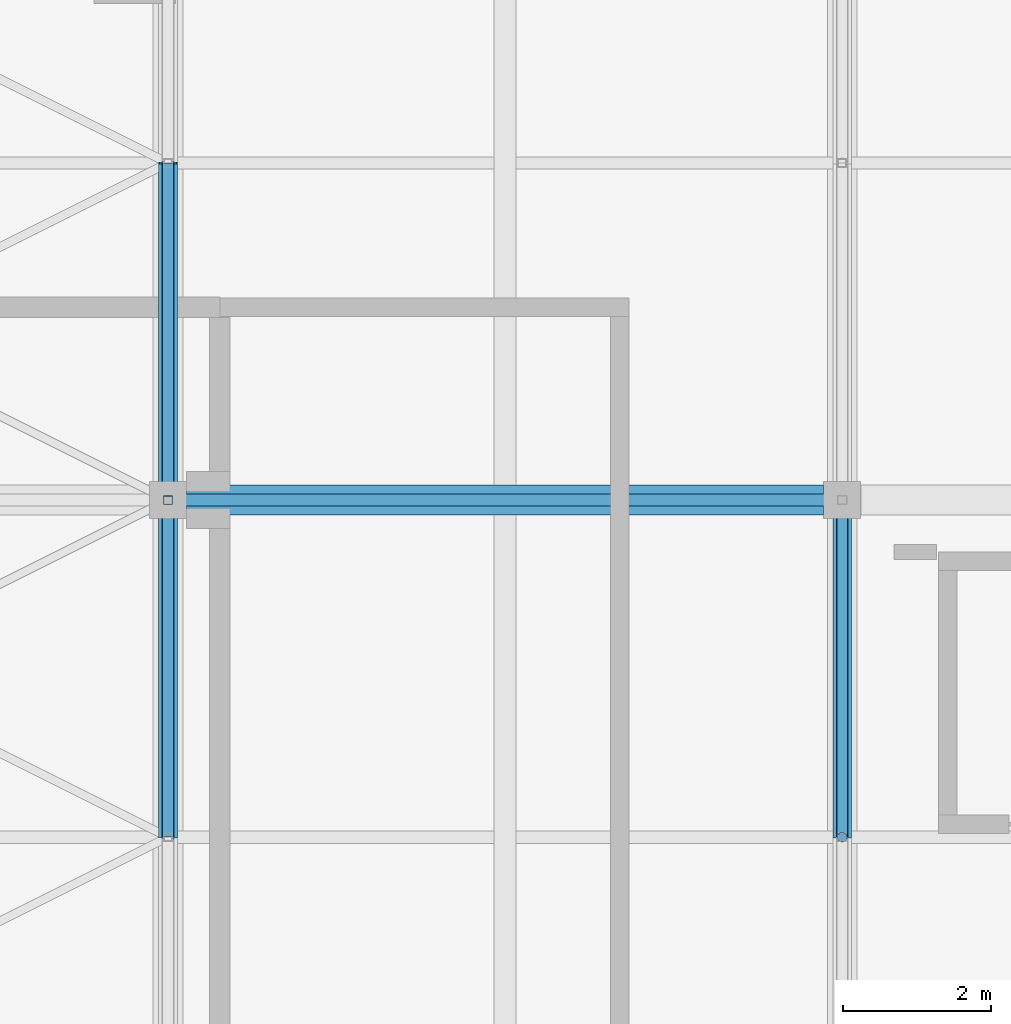
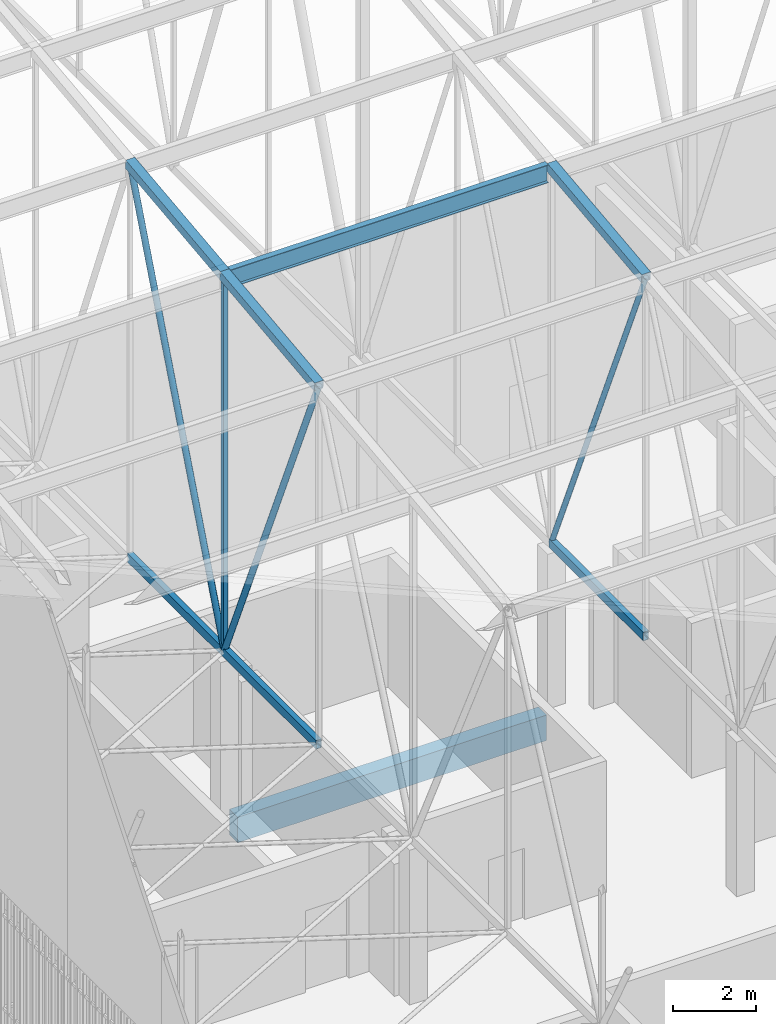
# One storey, part 53 of 500: 11 members, 1 beam.
"""IFC4 building model written with IfcOpenShell, lengths in metres."""

from ifc_helpers import new_model, si_unit, direction, frame, origin, origin_2d, place, context, subcontext, project, spatial, rectangle, hollow_rectangle, hollow_circle, i_section, extrude, material, material_profile, profile_set, type_object, element, save


model = new_model("IFC4")

# Units and contexts
model_context = context("Model", 3, precision=1e-05, world=origin(), true_north=direction((0.0, 1.0)))
body_context = subcontext(model_context, "Body", "Model", "MODEL_VIEW")
ifc_project = project(units=[si_unit("LENGTHUNIT", "METRE"), si_unit("AREAUNIT", "SQUARE_METRE"), si_unit("VOLUMEUNIT", "CUBIC_METRE"), si_unit("PLANEANGLEUNIT", "RADIAN"), si_unit("MASSUNIT", "GRAM", prefix="KILO")], contexts=[model_context])

# Site, building, storey
site_placement = place(None, origin())
site = spatial("IfcSite", under=ifc_project, at=site_placement, CompositionType="ELEMENT")
building_placement = place(site_placement, origin())
building = spatial("IfcBuilding", under=site, at=building_placement, Name="Shirokan Park Arena", CompositionType="ELEMENT")
storey_placement = place(building_placement, frame((0.0, 0.0, 29.1201171875)))
storey = spatial("IfcBuildingStorey", under=building, at=storey_placement, Name="L06", CompositionType="ELEMENT", Elevation=29.1201171875)

# Members
ifc_material_1 = material(Name="Steel ASTM A500 Grade C", Category="steel")
ifc_material_profile_1 = material_profile(ifc_material_1, hollow_rectangle(XDim=0.152099609375, YDim=0.25390625, WallThickness=0.009521484375, at=origin_2d()), Name="HSS254X152.4X9.5")
ifc_profile_set_1 = profile_set([ifc_material_profile_1], Name="Steel ASTM A500 Grade C")
member_type_1 = type_object("IfcMemberType", Name="Bottom chord HSS254X152.4X9.5", PredefinedType="CHORD", material=ifc_profile_set_1)
for number, where, z_axis, x_axis, name in (
    (1, (9.10009765625, 22.75, 4.677001953125), (0.0, 1.0, 0.0), (-1.0, 0.0, 0.0), "Truss T02 bottom chord 8"),
    (2, (9.10009765625, 27.300048828125, 4.677001953125), (0.0, 1.0, 0.0), (-1.0, 0.0, 0.0), "Truss T02 bottom chord 9"),
    (3, (18.199951171875, 22.75, 4.677001953125), (0.0, 1.0, 0.0), (-1.0, 0.0, 0.0), "Truss T03 bottom chord 8"),
):
    element("IfcMember", number, at=place(storey_placement, frame(where, z_axis=z_axis, x_axis=x_axis)), inside=storey, type_object=member_type_1, Name=name, PredefinedType="CHORD", context=body_context, shape_type="SweptSolid", body=[
        extrude(hollow_rectangle(XDim=0.152099609375, YDim=0.25390625, WallThickness=0.009521484375, at=origin_2d()), origin(), (0.0, 0.0, 1.0), 4.550048828125),
    ])
ifc_material_2 = material(Name="Steel ASTM A992", Category="steel")
ifc_material_profile_2 = material_profile(ifc_material_2, i_section(OverallWidth=0.166015625, OverallDepth=0.528076171875, WebThickness=0.009765625, FlangeThickness=0.013671875, at=origin_2d()), Name="W530X74")
ifc_profile_set_2 = profile_set([ifc_material_profile_2], Name="Steel ASTM A992")
member_type_2 = type_object("IfcMemberType", Name="Purlin W530X74", PredefinedType="PURLIN", material=ifc_profile_set_2)
member_1_placement = place(storey_placement, frame((9.22705078125, 27.300048828125, 15.60595703125), z_axis=(1.0, 0.0, 0.0), x_axis=(0.0, 1.0, 0.0)))
element("IfcMember", 4, at=member_1_placement, inside=storey, type_object=member_type_2, Name="Purlin 9 bay 2", PredefinedType="PURLIN", context=body_context, shape_type="SweptSolid", body=[
    extrude(i_section(OverallWidth=0.166015625, OverallDepth=0.528076171875, WebThickness=0.009765625, FlangeThickness=0.013671875, at=origin_2d()), origin(), (0.0, 0.0, 1.0), 8.845947265625),
])

# Beam
ifc_material_3 = material(Name="Concrete C35", Category="concrete")
ifc_material_profile_3 = material_profile(ifc_material_3, rectangle(XDim=0.39990234375, YDim=0.75, at=origin_2d()), Name="400x750")
ifc_profile_set_3 = profile_set([ifc_material_profile_3], Name="Concrete C35")
beam_type = type_object("IfcBeamType", Name="RC girder 400x750", PredefinedType="BEAM", material=ifc_profile_set_3)
beam_placement = place(storey_placement, frame((9.35009765625, 27.300048828125, -0.5751953125), z_axis=(1.0, 0.0, 0.0), x_axis=(0.0, 1.0, 0.0)))
element("IfcBeam", 5, at=beam_placement, inside=storey, type_object=beam_type, Name="Girder 2D-3D L06", PredefinedType="BEAM", context=body_context, shape_type="SweptSolid", body=[
    extrude(rectangle(XDim=0.39990234375, YDim=0.75, at=origin_2d()), origin(), (0.0, 0.0, 1.0), 8.599853515625),
])

# Members
ifc_material_profile_4 = material_profile(ifc_material_1, hollow_rectangle(XDim=0.25390625, YDim=0.25390625, WallThickness=0.009521484375, at=origin_2d()), Name="HSS254X254X9.5")
ifc_profile_set_4 = profile_set([ifc_material_profile_4], Name="Steel ASTM A500 Grade C")
member_type_3 = type_object("IfcMemberType", Name="Top chord HSS254X254X9.5", PredefinedType="CHORD", material=ifc_profile_set_4)
for number, where, z_axis, x_axis, name in (
    (6, (9.10009765625, 22.75, 15.222900390625), (0.0, 0.993532328996, 0.113549598152), (-1.0, 0.0, 0.0), "Truss T02 top chord 8"),
    (7, (9.10009765625, 27.300048828125, 15.742919921875), (0.0, 0.993532328996, 0.113549598152), (-1.0, 0.0, 0.0), "Truss T02 top chord 9"),
    (8, (18.199951171875, 22.75, 15.222900390625), (0.0, 0.993532328996, 0.113549598152), (-1.0, 0.0, 0.0), "Truss T03 top chord 8"),
):
    element("IfcMember", number, at=place(storey_placement, frame(where, z_axis=z_axis, x_axis=x_axis)), inside=storey, type_object=member_type_3, Name=name, PredefinedType="CHORD", context=body_context, shape_type="SweptSolid", body=[
        extrude(hollow_rectangle(XDim=0.25390625, YDim=0.25390625, WallThickness=0.009521484375, at=origin_2d()), origin(), (0.0, 0.0, 1.0), 4.57958984375),
    ])
ifc_material_profile_5 = material_profile(ifc_material_1, hollow_circle(Radius=0.070556640625, WallThickness=0.006591796875, at=origin_2d()), Name="HSS141.3X6.6")
ifc_profile_set_5 = profile_set([ifc_material_profile_5], Name="Steel ASTM A500 Grade C")
member_type_4 = type_object("IfcMemberType", Name="Truss diagonal HSS141.3X6.6", PredefinedType="BRACE", material=ifc_profile_set_5)
member_2_placement = place(storey_placement, frame((18.199951171875, 22.75, 15.222900390625), z_axis=(0.0, 0.396152605513, -0.918184683572), x_axis=(-1.0, 0.0, 0.0)))
element("IfcMember", 9, at=member_2_placement, inside=storey, type_object=member_type_4, Name="Truss T03 diagonal 8", PredefinedType="BRACE", context=body_context, shape_type="SweptSolid", body=[
    extrude(hollow_circle(Radius=0.070556640625, WallThickness=0.006591796875, at=origin_2d()), origin(), (0.0, 0.0, 1.0), 11.485595703125),
])
ifc_material_profile_6 = material_profile(ifc_material_1, hollow_circle(Radius=0.083984375, WallThickness=0.009521484375, at=origin_2d()), Name="HSS168.3X9.5")
ifc_profile_set_6 = profile_set([ifc_material_profile_6], Name="Steel ASTM A500 Grade C")
member_type_5 = type_object("IfcMemberType", Name="Truss diagonal HSS168.3X9.5", PredefinedType="BRACE", material=ifc_profile_set_6)
member_3_placement = place(storey_placement, frame((9.10009765625, 22.75, 15.222900390625), z_axis=(0.0, 0.396152605513, -0.918184683572), x_axis=(-1.0, 0.0, 0.0)))
element("IfcMember", 10, at=member_3_placement, inside=storey, type_object=member_type_5, Name="Truss T02 diagonal 8", PredefinedType="BRACE", context=body_context, shape_type="SweptSolid", body=[
    extrude(hollow_circle(Radius=0.083984375, WallThickness=0.009521484375, at=origin_2d()), origin(), (0.0, 0.0, 1.0), 11.485595703125),
])
member_4_placement = place(storey_placement, frame((9.10009765625, 27.300048828125, 4.677001953125), z_axis=(0.0, 0.365543139237, 0.930794399079), x_axis=(-1.0, 0.0, 0.0)))
element("IfcMember", 11, at=member_4_placement, inside=storey, type_object=member_type_5, Name="Truss T02 diagonal 9", PredefinedType="BRACE", context=body_context, shape_type="SweptSolid", body=[
    extrude(hollow_circle(Radius=0.083984375, WallThickness=0.009521484375, at=origin_2d()), origin(), (0.0, 0.0, 1.0), 12.447265625),
])
ifc_material_profile_7 = material_profile(ifc_material_1, hollow_rectangle(XDim=0.126953125, YDim=0.126953125, WallThickness=0.0126953125, at=origin_2d()), Name="HSS127X127X12.7")
ifc_profile_set_7 = profile_set([ifc_material_profile_7], Name="Steel ASTM A500 Grade C")
member_type_6 = type_object("IfcMemberType", Name="Truss post HSS127X127X12.7", PredefinedType="POST", material=ifc_profile_set_7)
member_5_placement = place(storey_placement, frame((9.10009765625, 27.300048828125, 4.677001953125), z_axis=(0.0, 0.0, 1.0), x_axis=(1.0, 0.0, 0.0)))
element("IfcMember", 12, at=member_5_placement, inside=storey, type_object=member_type_6, Name="Truss T02 post 9", PredefinedType="POST", context=body_context, shape_type="SweptSolid", body=[
    extrude(hollow_rectangle(XDim=0.126953125, YDim=0.126953125, WallThickness=0.0126953125, at=origin_2d()), origin(), (0.0, 0.0, 1.0), 11.06591796875),
])

save(model, "model.ifc")
